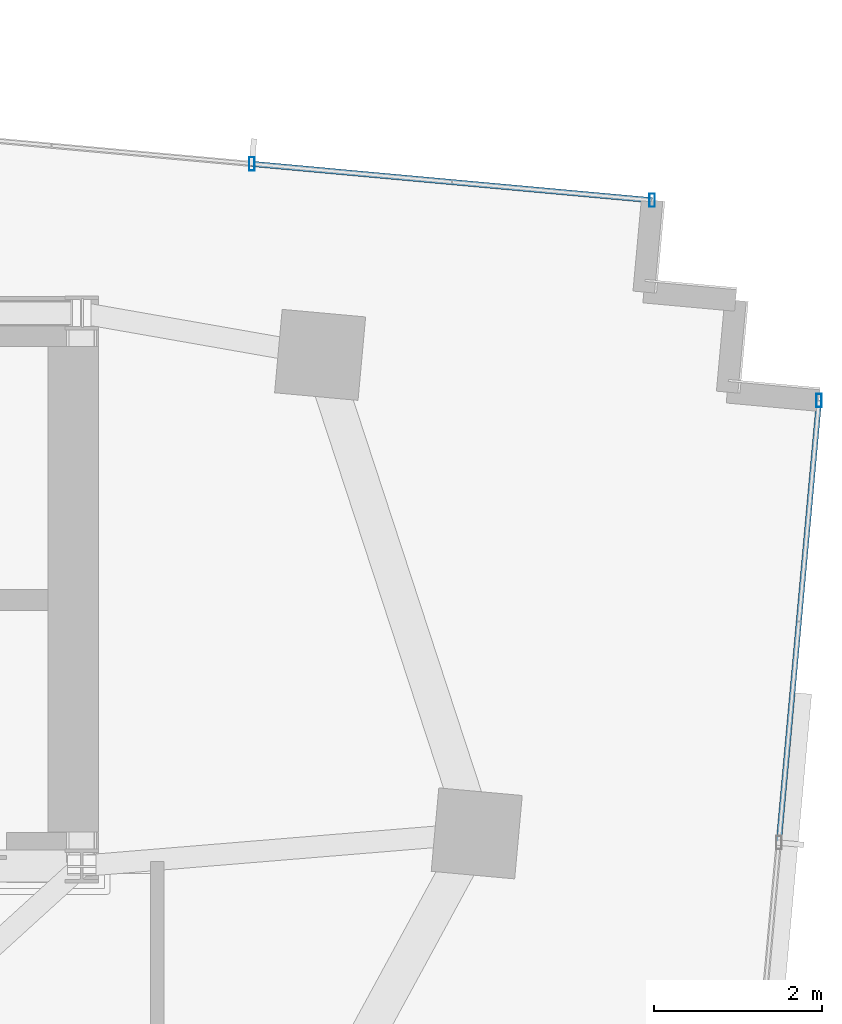
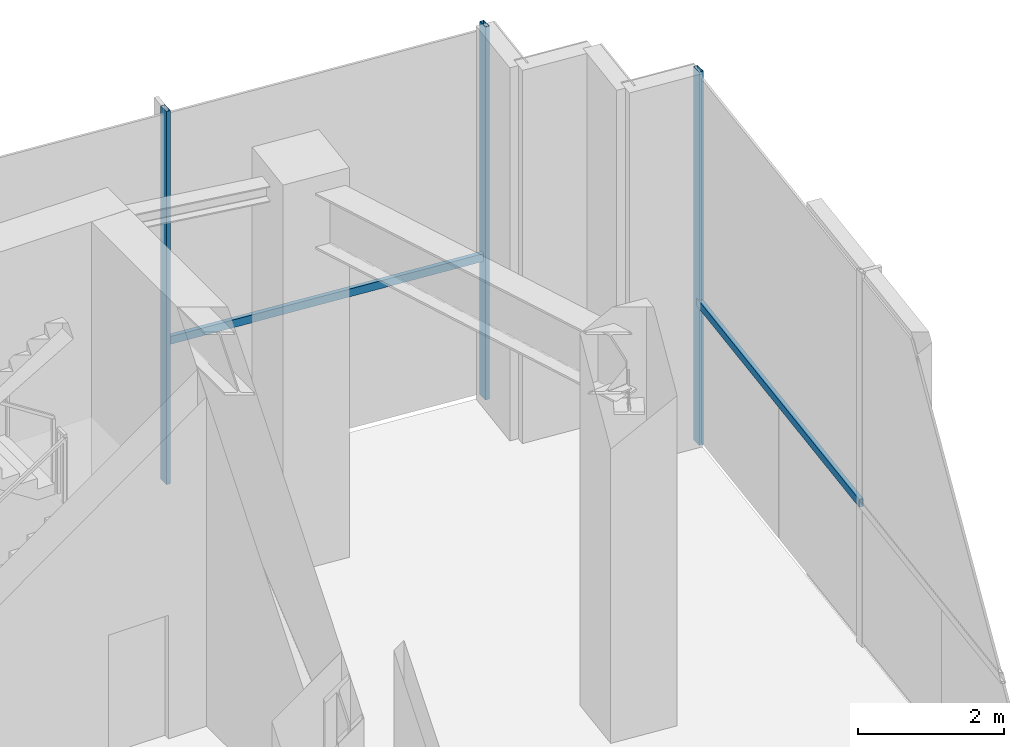
# One storey, part 13 of 18: 5 members, 2 elements without a shape of their own.
"""IFC4 building model written with IfcOpenShell, lengths in metres."""

from ifc_helpers import new_model, si_unit, direction, frame, origin, origin_2d, place, context, subcontext, project, spatial, hollow_rectangle, extrude, source, transform, mapped, material, material_profile, profile_set, type_object, type_shapes, element, aggregate, save


model = new_model("IFC4")

# Units and contexts
model_context = context("Model", 3, precision=1e-05, world=origin(), true_north=direction((0.0, 1.0)))
body_context = subcontext(model_context, "Body", "Model", "MODEL_VIEW")
ifc_project = project(units=[si_unit("LENGTHUNIT", "METRE"), si_unit("AREAUNIT", "SQUARE_METRE"), si_unit("VOLUMEUNIT", "CUBIC_METRE"), si_unit("PLANEANGLEUNIT", "RADIAN"), si_unit("MASSUNIT", "GRAM", prefix="KILO")], contexts=[model_context])

# Site, building, storey
site_placement = place(None, origin())
site = spatial("IfcSite", under=ifc_project, at=site_placement, CompositionType="ELEMENT")
building_placement = place(site_placement, origin())
building = spatial("IfcBuilding", under=site, at=building_placement, Name="Astriad Promenade Condominiums", CompositionType="ELEMENT")
storey_placement = place(building_placement, frame((0.0, 0.0, 277.300048828125)))
storey = spatial("IfcBuildingStorey", under=building, at=storey_placement, Name="L78", CompositionType="ELEMENT", Elevation=277.300048828125)

# Curtain wall, member
ifc_material_1 = material(Name="Anodised aluminium Black Dark Glass Unitised", Category="aluminium")
curtain_wall_type = type_object("IfcCurtainWallType", Name="CW-TMD-LANTERN", PredefinedType="USERDEFINED", material=ifc_material_1)
curtain_wall_1_placement = place(storey_placement, origin())
curtain_wall_1 = element("IfcCurtainWall", 1, at=curtain_wall_1_placement, inside=storey, type_object=curtain_wall_type, Name="CW-CRN-L78-13", ObjectType="UNITISED_CURTAIN_WALL", PredefinedType="USERDEFINED")
ifc_material_2 = material(Name="Anodised aluminium 6063-T6 Black", Category="aluminium")
ifc_material_profile_1 = material_profile(ifc_material_2, hollow_rectangle(XDim=0.06494140625, YDim=0.1298828125, WallThickness=0.00390625, at=origin_2d()), Name="ALU-TRN-65X130")
ifc_profile_set_1 = profile_set([ifc_material_profile_1], Name="Anodised aluminium 6063-T6 Black")
member_type_1 = type_object("IfcMemberType", Name="TRN-ALU-TRN-65X130", PredefinedType="USERDEFINED", material=ifc_profile_set_1)
shared_shape_1 = source(origin(), body_context, "Body", "SweptSolid", [
    extrude(hollow_rectangle(XDim=0.06494140625, YDim=0.1298828125, WallThickness=0.00390625, at=origin_2d()), origin(), (0.0, 0.0, 1.0), 5.300048828125),
])
member_1_placement = place(storey_placement, frame((54.402099609375, 22.956298828125, 2.349853515625), z_axis=(-0.090606350912, -0.99588678532, 0.0), x_axis=(0.99588678532, -0.090606350912, 0.0)))
member_1 = element("IfcMember", 2, at=member_1_placement, type_object=member_type_1, Name="CW-CRN-L78-13-TRN-00-0", ObjectType="TRANSOM", PredefinedType="USERDEFINED", context=body_context, shape_type="MappedRepresentation", body=[
    mapped(shared_shape_1, transform((0.0, 0.0, 0.0), scale=1.0)),
])

# Curtain wall, members
curtain_wall_2_placement = place(storey_placement, origin())
curtain_wall_2 = element("IfcCurtainWall", 3, at=curtain_wall_2_placement, inside=storey, type_object=curtain_wall_type, Name="CW-CRN-L78-08", ObjectType="UNITISED_CURTAIN_WALL", PredefinedType="USERDEFINED")
ifc_material_profile_2 = material_profile(ifc_material_2, hollow_rectangle(XDim=0.06494140625, YDim=0.159912109375, WallThickness=0.00390625, at=origin_2d()), Name="ALU-MUL-65X160")
ifc_profile_set_2 = profile_set([ifc_material_profile_2], Name="Anodised aluminium 6063-T6 Black")
member_type_2 = type_object("IfcMemberType", Name="MUL-ALU-MUL-65X160", PredefinedType="MULLION", material=ifc_profile_set_2)
shared_shape_2 = source(origin(), body_context, "Body", "SweptSolid", [
    extrude(hollow_rectangle(XDim=0.06494140625, YDim=0.159912109375, WallThickness=0.00390625, at=origin_2d()), origin(), (0.0, 0.0, 1.0), 6.219970703125),
])
type_shapes(member_type_2, [shared_shape_2])
member_2_placement = place(storey_placement, frame((47.63037109375, 25.781494140625, 0.0), z_axis=(0.0, 0.0, 1.0), x_axis=(1.0, 0.0, 0.0)))
member_2 = element("IfcMember", 4, at=member_2_placement, type_object=member_type_2, Name="CW-CRN-L78-08-MUL-06", PredefinedType="MULLION", context=body_context, shape_type="MappedRepresentation", body=[
    mapped(shared_shape_2, transform((0.0, 0.0, 0.0), scale=1.0)),
])
member_3_placement = place(storey_placement, frame((52.41064453125, 25.346435546875, 0.0), z_axis=(0.0, 0.0, 1.0), x_axis=(1.0, 0.0, 0.0)))
member_3 = element("IfcMember", 5, at=member_3_placement, type_object=member_type_2, Name="CW-CRN-L78-08-MUL-07", PredefinedType="MULLION", context=body_context, shape_type="MappedRepresentation", body=[
    mapped(shared_shape_2, transform((0.0, 0.0, 0.0), scale=1.0)),
])

# Member
member_4_placement = place(storey_placement, frame((54.402099609375, 22.956298828125, 0.0), z_axis=(0.0, 0.0, 1.0), x_axis=(1.0, 0.0, 0.0)))
member_4 = element("IfcMember", 6, at=member_4_placement, type_object=member_type_2, Name="CW-CRN-L78-13-MUL-00", PredefinedType="MULLION", context=body_context, shape_type="MappedRepresentation", body=[
    mapped(shared_shape_2, transform((0.0, 0.0, 0.0), scale=1.0)),
])

aggregate(curtain_wall_1, [member_4, member_1])

shared_shape_3 = source(origin(), body_context, "Body", "SweptSolid", [
    extrude(hollow_rectangle(XDim=0.06494140625, YDim=0.1298828125, WallThickness=0.00390625, at=origin_2d()), origin(), (0.0, 0.0, 1.0), 4.800048828125),
])
type_shapes(member_type_1, [shared_shape_1, shared_shape_3])
member_5_placement = place(storey_placement, frame((47.63037109375, 25.781494140625, 2.349853515625), z_axis=(0.995884029465, -0.09063663639, 0.0), x_axis=(0.09063663639, 0.995884029465, 0.0)))
member_5 = element("IfcMember", 7, at=member_5_placement, type_object=member_type_1, Name="CW-CRN-L78-08-TRN-06-0", ObjectType="TRANSOM", PredefinedType="USERDEFINED", context=body_context, shape_type="MappedRepresentation", body=[
    mapped(shared_shape_3, transform((0.0, 0.0, 0.0), scale=1.0)),
])

aggregate(curtain_wall_2, [member_2, member_3, member_5])

save(model, "model.ifc")
